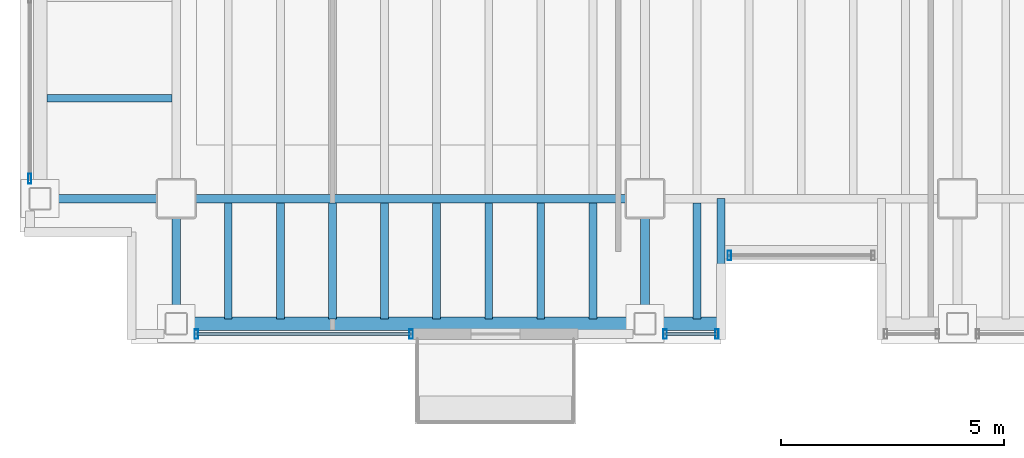
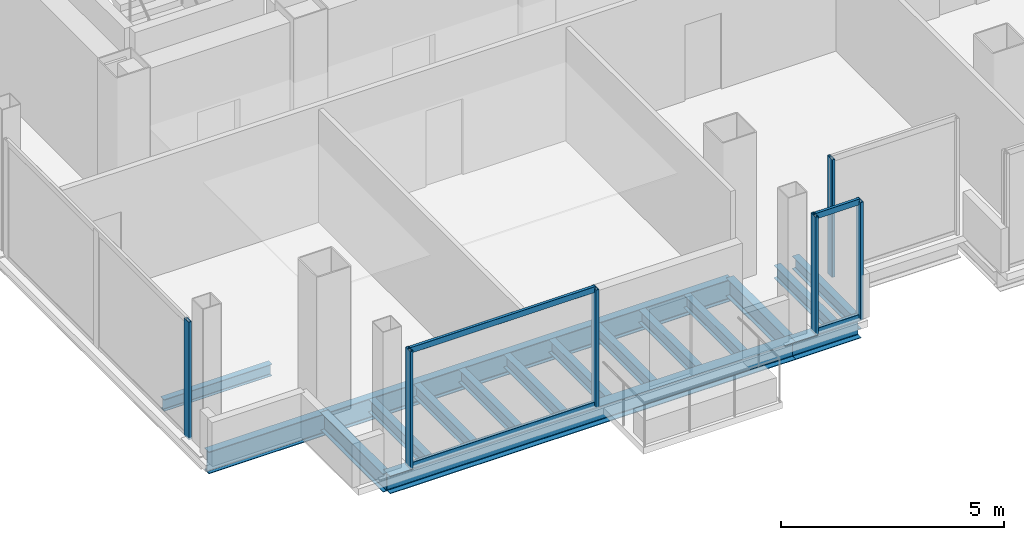
# One storey, part 2 of 15: 17 beams, 10 members, 4 elements without a shape of their own.
"""IFC4 building model written with IfcOpenShell, lengths in metres."""

from ifc_helpers import new_model, si_unit, direction, frame, origin, origin_2d, place, context, subcontext, project, spatial, hollow_rectangle, i_section, extrude, material, material_profile, profile_set, type_object, element, aggregate, save


model = new_model("IFC4")

# Units and contexts
model_context = context("Model", 3, precision=1e-05, world=origin(), true_north=direction((0.0, 1.0)))
body_context = subcontext(model_context, "Body", "Model", "MODEL_VIEW")
ifc_project = project(units=[si_unit("LENGTHUNIT", "METRE"), si_unit("AREAUNIT", "SQUARE_METRE"), si_unit("VOLUMEUNIT", "CUBIC_METRE"), si_unit("PLANEANGLEUNIT", "RADIAN"), si_unit("MASSUNIT", "GRAM", prefix="KILO")], contexts=[model_context])

# Site, building, storey
site_placement = place(None, origin())
site = spatial("IfcSite", under=ifc_project, at=site_placement, CompositionType="ELEMENT")
building_placement = place(site_placement, origin())
building = spatial("IfcBuilding", under=site, at=building_placement, Name="Noeulbin Bourse Tower", CompositionType="ELEMENT")
storey_placement = place(building_placement, frame((0.0, 0.0, 173.39990234375)))
storey = spatial("IfcBuildingStorey", under=building, at=storey_placement, Name="L43", CompositionType="ELEMENT", Elevation=173.39990234375)

# Beams
ifc_material_1 = material(Name="Steel S355", Category="steel")
ifc_material_profile_1 = material_profile(ifc_material_1, i_section(OverallWidth=0.199951171875, OverallDepth=0.5, WebThickness=0.010009765625, FlangeThickness=0.01611328125, FilletRadius=0.02001953125, at=origin_2d()), Name="H-500x200x10x16", Category="LoadBearing")
ifc_profile_set_1 = profile_set([ifc_material_profile_1], Name="Steel S355")
beam_type_1 = type_object("IfcBeamType", Name="BM-GRD-500", PredefinedType="USERDEFINED", material=ifc_profile_set_1)
for number, where, z_axis, x_axis, name in (
    (1, (13.5, 17.199951171875, -0.429931640625), (0.0, 1.0, 0.0), (-1.0, 0.0, 0.0), "Tower Primary Girder NS L43-1.1"),
    (2, (24.0, 17.199951171875, -0.429931640625), (0.0, 1.0, 0.0), (-1.0, 0.0, 0.0), "Tower Primary Girder NS L43-2.1"),
):
    element("IfcBeam", number, at=place(storey_placement, frame(where, z_axis=z_axis, x_axis=x_axis)), inside=storey, type_object=beam_type_1, Name=name, ObjectType="GIRDER", PredefinedType="USERDEFINED", context=body_context, shape_type="SweptSolid", body=[
        extrude(i_section(OverallWidth=0.199951171875, OverallDepth=0.5, WebThickness=0.010009765625, FlangeThickness=0.01611328125, FilletRadius=0.02001953125, at=origin_2d()), origin(), (0.0, 0.0, 1.0), 2.800048828125),
    ])
ifc_material_profile_2 = material_profile(ifc_material_1, i_section(OverallWidth=0.199951171875, OverallDepth=0.60009765625, WebThickness=0.010986328125, FlangeThickness=0.01708984375, FilletRadius=0.02197265625, at=origin_2d()), Name="H-600x200x11x17", Category="LoadBearing")
ifc_profile_set_2 = profile_set([ifc_material_profile_2], Name="Steel S355")
beam_type_2 = type_object("IfcBeamType", Name="BM-GRD-600", PredefinedType="USERDEFINED", material=ifc_profile_set_2)
beam_1_placement = place(storey_placement, frame((10.449951171875, 20.0, -0.47998046875), z_axis=(1.0, 0.0, 0.0), x_axis=(0.0, 1.0, 0.0)))
element("IfcBeam", 3, at=beam_1_placement, inside=storey, type_object=beam_type_2, Name="Tower Primary Girder EW L43-1.1", ObjectType="GIRDER", PredefinedType="USERDEFINED", context=body_context, shape_type="SweptSolid", body=[
    extrude(i_section(OverallWidth=0.199951171875, OverallDepth=0.60009765625, WebThickness=0.010986328125, FlangeThickness=0.01708984375, FilletRadius=0.02197265625, at=origin_2d()), origin(), (0.0, 0.0, 1.0), 3.050048828125),
])
beam_2_placement = place(storey_placement, frame((13.5, 20.0, -0.47998046875), z_axis=(1.0, 0.0, 0.0), x_axis=(0.0, 1.0, 0.0)))
element("IfcBeam", 4, at=beam_2_placement, inside=storey, type_object=beam_type_2, Name="Tower Primary Girder EW L43-1.2", ObjectType="GIRDER", PredefinedType="USERDEFINED", context=body_context, shape_type="SweptSolid", body=[
    extrude(i_section(OverallWidth=0.199951171875, OverallDepth=0.60009765625, WebThickness=0.010986328125, FlangeThickness=0.01708984375, FilletRadius=0.02197265625, at=origin_2d()), origin(), (0.0, 0.0, 1.0), 10.5),
])
ifc_material_profile_3 = material_profile(ifc_material_1, i_section(OverallWidth=0.159912109375, OverallDepth=0.320068359375, WebThickness=0.006591796875, FlangeThickness=0.010009765625, FilletRadius=0.012939453125, at=origin_2d()), Name="H-320x160x6.5x10", Category="LoadBearing")
ifc_profile_set_3 = profile_set([ifc_material_profile_3], Name="Steel S355")
beam_type_3 = type_object("IfcBeamType", Name="BM-JST-320", PredefinedType="JOIST", material=ifc_profile_set_3)
beam_3_placement = place(storey_placement, frame((10.60009765625, 22.25, -0.33984375), z_axis=(1.0, 0.0, 0.0), x_axis=(0.0, 1.0, 0.0)))
element("IfcBeam", 5, at=beam_3_placement, inside=storey, type_object=beam_type_3, Name="Wing Composite Joist L43-W67", PredefinedType="JOIST", context=body_context, shape_type="SweptSolid", body=[
    extrude(i_section(OverallWidth=0.159912109375, OverallDepth=0.320068359375, WebThickness=0.006591796875, FlangeThickness=0.010009765625, FilletRadius=0.012939453125, at=origin_2d()), origin(), (0.0, 0.0, 1.0), 2.7998046875),
])
ifc_material_profile_4 = material_profile(ifc_material_1, i_section(OverallWidth=0.175048828125, OverallDepth=0.35009765625, WebThickness=0.007080078125, FlangeThickness=0.010986328125, FilletRadius=0.013916015625, at=origin_2d()), Name="H-350x175x7x11", Category="LoadBearing")
ifc_profile_set_4 = profile_set([ifc_material_profile_4], Name="Steel S355")
beam_type_4 = type_object("IfcBeamType", Name="BM-JST-350", PredefinedType="JOIST", material=ifc_profile_set_4)
beam_4_placement = place(storey_placement, frame((25.699951171875, 17.199951171875, -0.35498046875), z_axis=(0.0, 1.0, 0.0), x_axis=(-1.0, 0.0, 0.0)))
element("IfcBeam", 6, at=beam_4_placement, inside=storey, type_object=beam_type_4, Name="BM-L43-SRT-W", PredefinedType="JOIST", context=body_context, shape_type="SweptSolid", body=[
    extrude(i_section(OverallWidth=0.175048828125, OverallDepth=0.35009765625, WebThickness=0.007080078125, FlangeThickness=0.010986328125, FilletRadius=0.013916015625, at=origin_2d()), origin(), (0.0, 0.0, 1.0), 2.800048828125),
])
for number, where, z_axis, x_axis, name in (
    (7, (14.666748046875, 17.300048828125, -0.35498046875), (0.0, 1.0, 0.0), (-1.0, 0.0, 0.0), "Tower Composite Joist L43-01"),
    (8, (15.833251953125, 17.300048828125, -0.35498046875), (0.0, 1.0, 0.0), (-1.0, 0.0, 0.0), "Tower Composite Joist L43-04"),
    (9, (17.0, 17.300048828125, -0.35498046875), (0.0, 1.0, 0.0), (-1.0, 0.0, 0.0), "Tower Composite Joist L43-07"),
    (10, (18.166748046875, 17.300048828125, -0.35498046875), (0.0, 1.0, 0.0), (-1.0, 0.0, 0.0), "Tower Composite Joist L43-10"),
    (11, (19.333251953125, 17.300048828125, -0.35498046875), (0.0, 1.0, 0.0), (-1.0, 0.0, 0.0), "Tower Composite Joist L43-13"),
    (12, (20.5, 17.300048828125, -0.35498046875), (0.0, 1.0, 0.0), (-1.0, 0.0, 0.0), "Tower Composite Joist L43-16"),
    (13, (21.666748046875, 17.300048828125, -0.35498046875), (0.0, 1.0, 0.0), (-1.0, 0.0, 0.0), "Tower Composite Joist L43-19"),
    (14, (22.833251953125, 17.300048828125, -0.35498046875), (0.0, 1.0, 0.0), (-1.0, 0.0, 0.0), "Tower Composite Joist L43-22"),
    (15, (25.166748046875, 17.300048828125, -0.35498046875), (0.0, 1.0, 0.0), (-1.0, 0.0, 0.0), "Tower Composite Joist L43-25"),
):
    element("IfcBeam", number, at=place(storey_placement, frame(where, z_axis=z_axis, x_axis=x_axis)), inside=storey, type_object=beam_type_4, Name=name, PredefinedType="JOIST", context=body_context, shape_type="SweptSolid", body=[
        extrude(i_section(OverallWidth=0.175048828125, OverallDepth=0.35009765625, WebThickness=0.007080078125, FlangeThickness=0.010986328125, FilletRadius=0.013916015625, at=origin_2d()), origin(), (0.0, 0.0, 1.0), 2.599853515625),
    ])
ifc_material_profile_5 = material_profile(ifc_material_1, i_section(OverallWidth=0.300048828125, OverallDepth=0.488037109375, WebThickness=0.010986328125, FlangeThickness=0.01806640625, FilletRadius=0.02197265625, at=origin_2d()), Name="H-488x300x11x18", Category="LoadBearing")
ifc_profile_set_5 = profile_set([ifc_material_profile_5], Name="Steel S355")
beam_type_5 = type_object("IfcBeamType", Name="BM-SPN-488", PredefinedType="SPANDREL", material=ifc_profile_set_5)
beam_5_placement = place(storey_placement, frame((13.5, 17.199951171875, -0.423828125), z_axis=(1.0, 0.0, 0.0), x_axis=(0.0, 1.0, 0.0)))
element("IfcBeam", 16, at=beam_5_placement, inside=storey, type_object=beam_type_5, Name="South Spandrel L43-1", PredefinedType="SPANDREL", context=body_context, shape_type="SweptSolid", body=[
    extrude(i_section(OverallWidth=0.300048828125, OverallDepth=0.488037109375, WebThickness=0.010986328125, FlangeThickness=0.01806640625, FilletRadius=0.02197265625, at=origin_2d()), origin(), (0.0, 0.0, 1.0), 10.5),
])
beam_6_placement = place(storey_placement, frame((24.0, 17.199951171875, -0.423828125), z_axis=(1.0, 0.0, 0.0), x_axis=(0.0, 1.0, 0.0)))
element("IfcBeam", 17, at=beam_6_placement, inside=storey, type_object=beam_type_5, Name="South Spandrel L43-2A", PredefinedType="SPANDREL", context=body_context, shape_type="SweptSolid", body=[
    extrude(i_section(OverallWidth=0.300048828125, OverallDepth=0.488037109375, WebThickness=0.010986328125, FlangeThickness=0.01806640625, FilletRadius=0.02197265625, at=origin_2d()), origin(), (0.0, 0.0, 1.0), 1.699951171875),
])

# Curtain wall, member
ifc_material_2 = material(Name="Dark Tinted Triple Glazing", Category="glass")
curtain_wall_type = type_object("IfcCurtainWallType", Name="CW-SYS-3", PredefinedType="NOTDEFINED", material=ifc_material_2)
curtain_wall_1_placement = place(storey_placement, origin())
curtain_wall_1 = element("IfcCurtainWall", 18, at=curtain_wall_1_placement, inside=storey, type_object=curtain_wall_type, Name="Unitised Curtain Wall CW-L43-SREC", PredefinedType="NOTDEFINED")
ifc_material_3 = material(Name="Anodised Aluminium 6063-T6", Category="aluminium")
ifc_material_profile_6 = material_profile(ifc_material_3, hollow_rectangle(XDim=0.074951171875, YDim=0.219970703125, WallThickness=0.0048828125, InnerFilletRadius=0.00244140625, OuterFilletRadius=0.0048828125, at=origin_2d()), Name="ALU-MULL-75x220x5", Category="LoadBearing")
ifc_profile_set_6 = profile_set([ifc_material_profile_6], Name="Anodised Aluminium 6063-T6")
member_type_1 = type_object("IfcMemberType", Name="CW-SYS-3-MUL", PredefinedType="MULLION", material=ifc_profile_set_6)
member_1_placement = place(storey_placement, frame((25.889892578125, 18.72998046875, -0.02001953125), z_axis=(0.0, 0.0, 1.0), x_axis=(1.0, 0.0, 0.0)))
member_1 = element("IfcMember", 19, at=member_1_placement, type_object=member_type_1, Name="Curtain Wall Mullion CW-L43-SREC-M00", PredefinedType="MULLION", context=body_context, shape_type="SweptSolid", body=[
    extrude(hollow_rectangle(XDim=0.074951171875, YDim=0.219970703125, WallThickness=0.0048828125, InnerFilletRadius=0.00244140625, OuterFilletRadius=0.0048828125, at=origin_2d()), origin(), (0.0, 0.0, 1.0), 3.22021484375),
])
aggregate(curtain_wall_1, [member_1])

# Curtain wall, members
curtain_wall_2_placement = place(storey_placement, origin())
curtain_wall_2 = element("IfcCurtainWall", 20, at=curtain_wall_2_placement, inside=storey, type_object=curtain_wall_type, Name="Unitised Curtain Wall CW-L43-S1", PredefinedType="NOTDEFINED")
member_2_placement = place(storey_placement, frame((13.949951171875, 16.969970703125, -0.02001953125), z_axis=(0.0, 0.0, 1.0), x_axis=(1.0, 0.0, 0.0)))
member_2 = element("IfcMember", 21, at=member_2_placement, type_object=member_type_1, Name="Curtain Wall Mullion CW-L43-S1-M00", PredefinedType="MULLION", context=body_context, shape_type="SweptSolid", body=[
    extrude(hollow_rectangle(XDim=0.074951171875, YDim=0.219970703125, WallThickness=0.0048828125, InnerFilletRadius=0.00244140625, OuterFilletRadius=0.0048828125, at=origin_2d()), origin(), (0.0, 0.0, 1.0), 3.22021484375),
])
member_3_placement = place(storey_placement, frame((18.760009765625, 16.969970703125, -0.02001953125), z_axis=(0.0, 0.0, 1.0), x_axis=(1.0, 0.0, 0.0)))
member_3 = element("IfcMember", 22, at=member_3_placement, type_object=member_type_1, Name="Curtain Wall Mullion CW-L43-S1-M01", PredefinedType="MULLION", context=body_context, shape_type="SweptSolid", body=[
    extrude(hollow_rectangle(XDim=0.074951171875, YDim=0.219970703125, WallThickness=0.0048828125, InnerFilletRadius=0.00244140625, OuterFilletRadius=0.0048828125, at=origin_2d()), origin(), (0.0, 0.0, 1.0), 3.22021484375),
])

curtain_wall_3_placement = place(storey_placement, origin())
curtain_wall_3 = element("IfcCurtainWall", 23, at=curtain_wall_3_placement, inside=storey, type_object=curtain_wall_type, Name="Unitised Curtain Wall CW-L43-S2", PredefinedType="NOTDEFINED")
member_4_placement = place(storey_placement, frame((24.449951171875, 16.969970703125, -0.02001953125), z_axis=(0.0, 0.0, 1.0), x_axis=(1.0, 0.0, 0.0)))
member_4 = element("IfcMember", 24, at=member_4_placement, type_object=member_type_1, Name="Curtain Wall Mullion CW-L43-S2-M00", PredefinedType="MULLION", context=body_context, shape_type="SweptSolid", body=[
    extrude(hollow_rectangle(XDim=0.074951171875, YDim=0.219970703125, WallThickness=0.0048828125, InnerFilletRadius=0.00244140625, OuterFilletRadius=0.0048828125, at=origin_2d()), origin(), (0.0, 0.0, 1.0), 3.22021484375),
])
member_5_placement = place(storey_placement, frame((25.610107421875, 16.969970703125, -0.02001953125), z_axis=(0.0, 0.0, 1.0), x_axis=(1.0, 0.0, 0.0)))
member_5 = element("IfcMember", 25, at=member_5_placement, type_object=member_type_1, Name="Curtain Wall Mullion CW-L43-S2-M01", PredefinedType="MULLION", context=body_context, shape_type="SweptSolid", body=[
    extrude(hollow_rectangle(XDim=0.074951171875, YDim=0.219970703125, WallThickness=0.0048828125, InnerFilletRadius=0.00244140625, OuterFilletRadius=0.0048828125, at=origin_2d()), origin(), (0.0, 0.0, 1.0), 3.22021484375),
])

# Curtain wall, member
curtain_wall_4_placement = place(storey_placement, origin())
curtain_wall_4 = element("IfcCurtainWall", 26, at=curtain_wall_4_placement, inside=storey, type_object=curtain_wall_type, Name="Unitised Curtain Wall CW-L43-W-S1", PredefinedType="NOTDEFINED")
member_6_placement = place(storey_placement, frame((10.219970703125, 20.449951171875, -0.02001953125), z_axis=(0.0, 0.0, 1.0), x_axis=(1.0, 0.0, 0.0)))
member_6 = element("IfcMember", 27, at=member_6_placement, type_object=member_type_1, Name="Curtain Wall Mullion CW-L43-W-S1-M00", PredefinedType="MULLION", context=body_context, shape_type="SweptSolid", body=[
    extrude(hollow_rectangle(XDim=0.074951171875, YDim=0.219970703125, WallThickness=0.0048828125, InnerFilletRadius=0.00244140625, OuterFilletRadius=0.0048828125, at=origin_2d()), origin(), (0.0, 0.0, 1.0), 3.22021484375),
])
aggregate(curtain_wall_4, [member_6])

# Member
ifc_material_profile_7 = material_profile(ifc_material_3, hollow_rectangle(XDim=0.074951171875, YDim=0.159912109375, WallThickness=0.0048828125, InnerFilletRadius=0.00244140625, OuterFilletRadius=0.0048828125, at=origin_2d()), Name="ALU-TRAN-75x160x5", Category="LoadBearing")
ifc_profile_set_7 = profile_set([ifc_material_profile_7], Name="Anodised Aluminium 6063-T6")
member_type_2 = type_object("IfcMemberType", Name="CW-SYS-3-TRN", PredefinedType="USERDEFINED", material=ifc_profile_set_7)
member_7_placement = place(storey_placement, frame((13.9599609375, 16.969970703125, 0.010009765625), z_axis=(1.0, 0.0, 0.0), x_axis=(0.0, 1.0, 0.0)))
member_7 = element("IfcMember", 28, at=member_7_placement, type_object=member_type_2, Name="Curtain Wall Transom CW-L43-S1-T00", ObjectType="TRANSOM", PredefinedType="USERDEFINED", context=body_context, shape_type="SweptSolid", body=[
    extrude(hollow_rectangle(XDim=0.074951171875, YDim=0.159912109375, WallThickness=0.0048828125, InnerFilletRadius=0.00244140625, OuterFilletRadius=0.0048828125, at=origin_2d()), origin(), (0.0, 0.0, 1.0), 4.7900390625),
])

member_8_placement = place(storey_placement, frame((13.9599609375, 16.969970703125, 3.170166015625), z_axis=(1.0, 0.0, 0.0), x_axis=(0.0, 1.0, 0.0)))
member_8 = element("IfcMember", 29, at=member_8_placement, type_object=member_type_2, Name="Curtain Wall Transom CW-L43-S1-T01", ObjectType="TRANSOM", PredefinedType="USERDEFINED", context=body_context, shape_type="SweptSolid", body=[
    extrude(hollow_rectangle(XDim=0.074951171875, YDim=0.159912109375, WallThickness=0.0048828125, InnerFilletRadius=0.00244140625, OuterFilletRadius=0.0048828125, at=origin_2d()), origin(), (0.0, 0.0, 1.0), 4.7900390625),
])

aggregate(curtain_wall_2, [member_2, member_3, member_7, member_8])

member_9_placement = place(storey_placement, frame((24.4599609375, 16.969970703125, 0.010009765625), z_axis=(1.0, 0.0, 0.0), x_axis=(0.0, 1.0, 0.0)))
member_9 = element("IfcMember", 30, at=member_9_placement, type_object=member_type_2, Name="Curtain Wall Transom CW-L43-S2-T00", ObjectType="TRANSOM", PredefinedType="USERDEFINED", context=body_context, shape_type="SweptSolid", body=[
    extrude(hollow_rectangle(XDim=0.074951171875, YDim=0.159912109375, WallThickness=0.0048828125, InnerFilletRadius=0.00244140625, OuterFilletRadius=0.0048828125, at=origin_2d()), origin(), (0.0, 0.0, 1.0), 1.14013671875),
])

member_10_placement = place(storey_placement, frame((24.4599609375, 16.969970703125, 3.170166015625), z_axis=(1.0, 0.0, 0.0), x_axis=(0.0, 1.0, 0.0)))
member_10 = element("IfcMember", 31, at=member_10_placement, type_object=member_type_2, Name="Curtain Wall Transom CW-L43-S2-T01", ObjectType="TRANSOM", PredefinedType="USERDEFINED", context=body_context, shape_type="SweptSolid", body=[
    extrude(hollow_rectangle(XDim=0.074951171875, YDim=0.159912109375, WallThickness=0.0048828125, InnerFilletRadius=0.00244140625, OuterFilletRadius=0.0048828125, at=origin_2d()), origin(), (0.0, 0.0, 1.0), 1.14013671875),
])

aggregate(curtain_wall_3, [member_4, member_5, member_9, member_10])

save(model, "model.ifc")
